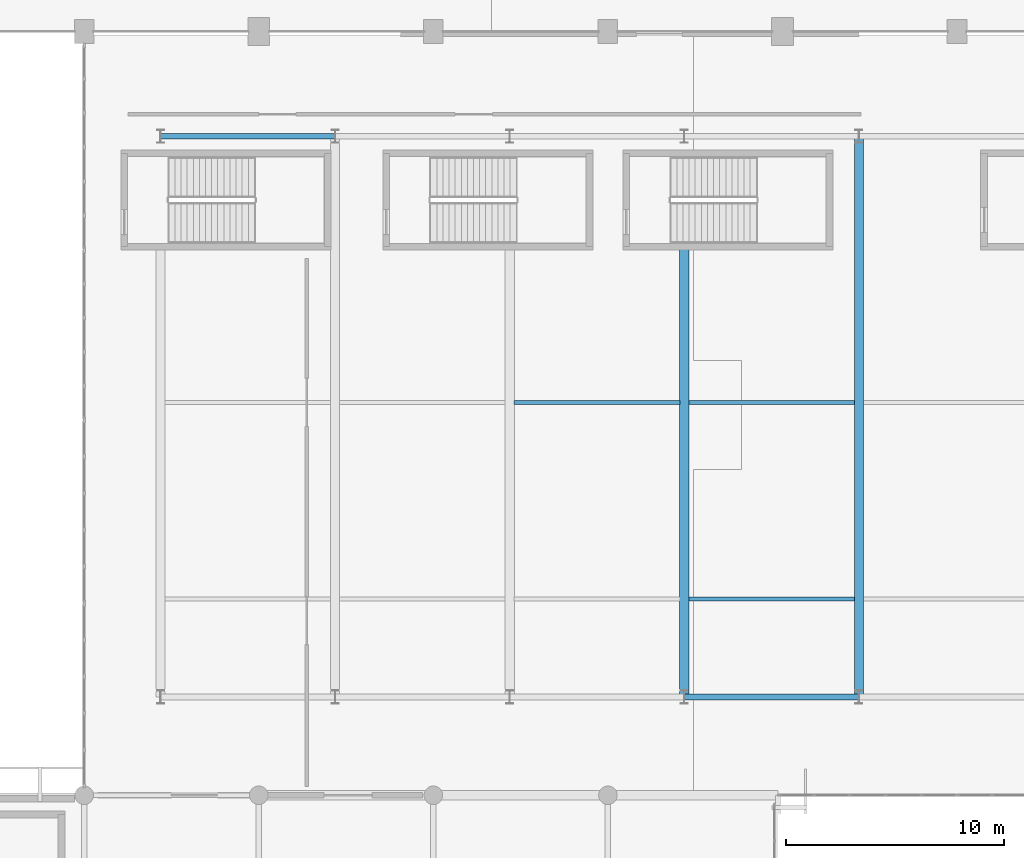
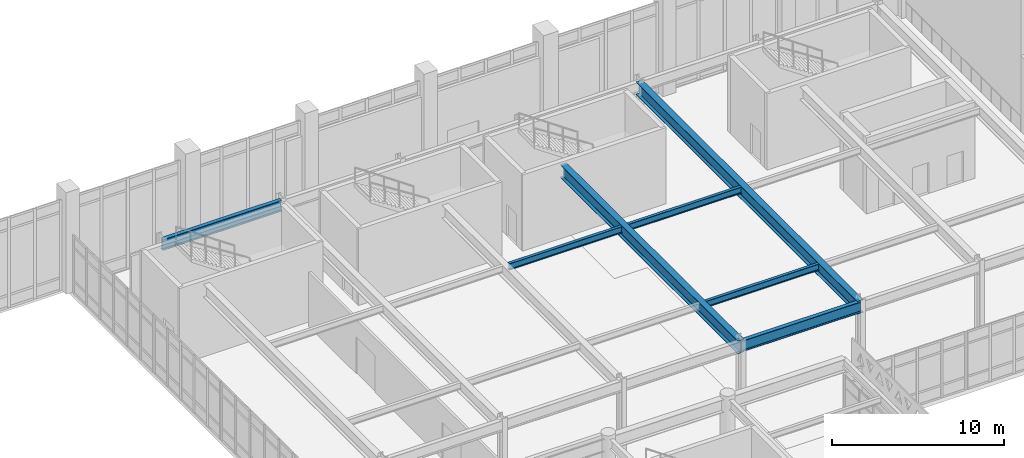
# One storey, part 30 of 84: 7 beams.
"""IFC4 building model written with IfcOpenShell, lengths in metres."""

import ifcopenshell
import ifcopenshell.guid

model = None  # the IFC model being written
_history = None  # IfcOwnerHistory: only IFC2X3 demands one
_inside = {}  # id of a spatial element -> (the spatial element, [elements in it])
_under = {}  # id of a project, library or spatial element -> (it, [spatial elements below it])
_declared = {}  # id of a project -> (the project, [libraries it declares])
_typed = {}  # id of a type object -> (the type object, [elements of that type])
_made_of = {}  # id of a material, layer set ... -> (it, [elements and type objects made of it])


def new_model(schema):
    """Start an empty IFC model of exactly this schema.

    Asked for "IFC4X3", IfcOpenShell would pick the latest addendum, in which some entities
    have other attributes; the version numbers below select the first issue.
    IFC2X3 requires an IfcOwnerHistory on every rooted entity: one is made here for all.
    """
    global model, _history
    if schema == "IFC4X3":
        model = ifcopenshell.file(schema_version=(4, 3, 0, 0))
    else:
        model = ifcopenshell.file(schema=schema)
    _inside.clear()
    _under.clear()
    _declared.clear()
    _typed.clear()
    _made_of.clear()
    _history = None
    if model.schema == "IFC2X3":
        org = make("IfcOrganization", Name="unknown")
        user = make(
            "IfcPersonAndOrganization",
            ThePerson=make("IfcPerson", FamilyName="unknown"),
            TheOrganization=org,
        )
        app = make(
            "IfcApplication",
            ApplicationDeveloper=org,
            Version="unknown",
            ApplicationFullName="unknown",
            ApplicationIdentifier="unknown",
        )
        _history = make(
            "IfcOwnerHistory",
            OwningUser=user,
            OwningApplication=app,
            ChangeAction="ADDED",
            CreationDate=0,
        )
    return model


def make(cls, **values):
    """One entity of the class cls with the attributes given. An attribute that is None is left unset."""
    return model.create_entity(
        cls, **{name: value for name, value in values.items() if value is not None}
    )


def rooted(cls, **values):
    """An entity with a GlobalId (a new one), such as an element, a storey or a relation."""
    return make(cls, GlobalId=ifcopenshell.guid.new(), OwnerHistory=_history, **values)


def si_unit(unit_type, name, prefix=None):
    """IfcSIUnit, for example si_unit("LENGTHUNIT", "METRE", prefix="MILLI")."""
    return make("IfcSIUnit", UnitType=unit_type, Prefix=prefix, Name=name)


def assignment(units):
    """IfcUnitAssignment: the units of a project."""
    return None if units is None else make("IfcUnitAssignment", Units=units)


def point(xyz):
    """IfcCartesianPoint."""
    return None if xyz is None else make("IfcCartesianPoint", Coordinates=xyz)


def direction(xyz):
    """IfcDirection."""
    return None if xyz is None else make("IfcDirection", DirectionRatios=xyz)


def frame(location, z_axis=None, x_axis=None):
    """IfcAxis2Placement3D, a coordinate frame: its origin and axes. An axis left out is left unset."""
    return make(
        "IfcAxis2Placement3D",
        Location=point(location),
        Axis=direction(z_axis),
        RefDirection=direction(x_axis),
    )


def frame_2d(location, x_axis=None):
    """IfcAxis2Placement2D, a coordinate frame in the plane: its origin and x axis."""
    return make(
        "IfcAxis2Placement2D", Location=point(location), RefDirection=direction(x_axis)
    )


def origin():
    """The frame at (0, 0, 0) with its axes left unset."""
    return frame((0.0, 0.0, 0.0))


def origin_2d():
    """The frame at (0, 0) in the plane with its x axis left unset."""
    return frame_2d((0.0, 0.0))


def place(relative_to, where):
    """IfcLocalPlacement: puts the frame where relative to a parent placement (None: the world)."""
    return make(
        "IfcLocalPlacement", PlacementRelTo=relative_to, RelativePlacement=where
    )


def context(
    kind, dimensions, precision=None, world=None, true_north=None, identifier=None
):
    """IfcGeometricRepresentationContext, for example the 3D "Model" context."""
    return make(
        "IfcGeometricRepresentationContext",
        ContextIdentifier=identifier,
        ContextType=kind,
        CoordinateSpaceDimension=dimensions,
        Precision=precision,
        WorldCoordinateSystem=world,
        TrueNorth=true_north,
    )


def subcontext(parent, identifier, kind, view, scale=None):
    """IfcGeometricRepresentationSubContext, for example "Body" below "Model"."""
    return make(
        "IfcGeometricRepresentationSubContext",
        ContextIdentifier=identifier,
        ContextType=kind,
        ParentContext=parent,
        TargetScale=scale,
        TargetView=view,
    )


def project(units=None, contexts=None):
    """IfcProject with its units and contexts."""
    return rooted(
        "IfcProject",
        Name="project",
        RepresentationContexts=contexts,
        UnitsInContext=assignment(units),
    )


def spatial(cls, under=None, at=None, **own):
    """A site, building, storey or space (cls), placed at a placement, below another one or the project."""
    s = rooted(cls, ObjectPlacement=at, **own)
    if under is not None:
        _under.setdefault(under.id(), (under, []))[1].append(s)
    return s


def profile(cls, at=None, kind="AREA", **sizes):
    """A parametric profile (cls). Its sizes go by their IFC names, for example OverallWidth=200.0."""
    return make(cls, ProfileType=kind, Position=at, **sizes)


def i_section(**sizes):
    """IfcIShapeProfileDef."""
    return profile("IfcIShapeProfileDef", **sizes)


def extrude(swept, where, along, depth):
    """IfcExtrudedAreaSolid: the profile swept, set in the frame where, extruded along a direction by depth."""
    return make(
        "IfcExtrudedAreaSolid",
        SweptArea=swept,
        Position=where,
        ExtrudedDirection=direction(along),
        Depth=depth,
    )


def shape(context_of_items, identifier, shape_type, items):
    """IfcShapeRepresentation: the items that make up one representation, for example the "Body"."""
    return make(
        "IfcShapeRepresentation",
        ContextOfItems=context_of_items,
        RepresentationIdentifier=identifier,
        RepresentationType=shape_type,
        Items=items,
    )


def material(Name=None, Category=None):
    """IfcMaterial."""
    return make("IfcMaterial", Name=Name, Category=Category)


def material_profile(
    of_material, cross_section, Name=None, Category=None, Priority=None
):
    """IfcMaterialProfile: a cross section and its material."""
    return make(
        "IfcMaterialProfile",
        Name=Name,
        Material=of_material,
        Profile=cross_section,
        Priority=Priority,
        Category=Category,
    )


def profile_set(profiles, Name=None, composite=None):
    """IfcMaterialProfileSet."""
    return make(
        "IfcMaterialProfileSet",
        Name=Name,
        MaterialProfiles=profiles,
        CompositeProfile=composite,
    )


def made_of(thing, what):
    """Note that an element or type object is made of a material, layer set ...; save() writes the relation."""
    if what is not None:
        _made_of.setdefault(what.id(), (what, []))[1].append(thing)
    return thing


def type_object(cls, material=None, **own):
    """A type object (cls), such as IfcWallType, which elements share."""
    return made_of(rooted(cls, **own), material)


def element(
    cls,
    number,
    at=None,
    inside=None,
    cuts=None,
    type_object=None,
    material=None,
    context=None,
    identifier="Body",
    shape_type=None,
    held_by="IfcProductDefinitionShape",
    body=None,
    shapes=None,
    **own,
):
    """One element of the class cls, such as IfcWall. Its Tag is "e" and its number.

    at: its placement. inside: the storey or other place that contains it. cuts: it is an
    opening in that element (IfcRelVoidsElement). A single representation is given by context,
    identifier, shape_type and body (its items); several are given by shapes. held_by: the class
    of the entity that holds the representations. save() writes the other relations.
    """
    e = rooted(cls, Tag="e%d" % number, ObjectPlacement=at, **own)
    if body is not None:
        shapes = [shape(context, identifier, shape_type, body)]
    if shapes is not None:
        e.Representation = make(held_by, Representations=shapes)
    if inside is not None:
        _inside.setdefault(inside.id(), (inside, []))[1].append(e)
    if cuts is not None:
        rooted(
            "IfcRelVoidsElement", RelatingBuildingElement=cuts, RelatedOpeningElement=e
        )
    if type_object is not None:
        _typed.setdefault(type_object.id(), (type_object, []))[1].append(e)
    return made_of(e, material)


def aggregate(whole, parts):
    """IfcRelAggregates: a whole, such as a stair, and the parts it consists of."""
    return rooted("IfcRelAggregates", RelatingObject=whole, RelatedObjects=parts)


def save(model, path):
    """Write the relations noted so far, then the file.

    IfcRelAggregates (storeys below a building ...), IfcRelContainedInSpatialStructure (elements
    in a storey), IfcRelDefinesByType, IfcRelAssociatesMaterial and IfcRelDeclares: one each for
    every whole, place, type object, material and project.
    """
    for whole, parts in _under.values():
        aggregate(whole, parts)
    for where, things in _inside.values():
        rooted(
            "IfcRelContainedInSpatialStructure",
            RelatedElements=things,
            RelatingStructure=where,
        )
    for kind, things in _typed.values():
        rooted("IfcRelDefinesByType", RelatedObjects=things, RelatingType=kind)
    for what, things in _made_of.values():
        rooted("IfcRelAssociatesMaterial", RelatedObjects=things, RelatingMaterial=what)
    for by, libraries in _declared.values():
        rooted("IfcRelDeclares", RelatingContext=by, RelatedDefinitions=libraries)
    model.write(path)


model = new_model("IFC4")

# Units and contexts
model_context = context("Model", 3, precision=1e-05, world=origin(), true_north=direction((0.0, 1.0)))
body_context = subcontext(model_context, "Body", "Model", "MODEL_VIEW")
ifc_project = project(units=[si_unit("LENGTHUNIT", "METRE"), si_unit("AREAUNIT", "SQUARE_METRE"), si_unit("VOLUMEUNIT", "CUBIC_METRE"), si_unit("PLANEANGLEUNIT", "RADIAN"), si_unit("MASSUNIT", "GRAM", prefix="KILO")], contexts=[model_context])

# Site, building, storey
site_placement = place(None, origin())
site = spatial("IfcSite", under=ifc_project, at=site_placement, CompositionType="ELEMENT")
building_placement = place(site_placement, origin())
building = spatial("IfcBuilding", under=site, at=building_placement, Name="Tlacozan Convention Centre", CompositionType="ELEMENT")
storey_placement = place(building_placement, frame((0.0, 0.0, 6.0)))
storey = spatial("IfcBuildingStorey", under=building, at=storey_placement, Name="L01", CompositionType="ELEMENT", Elevation=6.0)

# Beams
ifc_material = material(Name="Steel ASTM A992 Grade 50", Category="steel")
ifc_material_profile_1 = material_profile(ifc_material, i_section(OverallWidth=0.41796875, OverallDepth=0.912109375, WebThickness=0.019287109375, FlangeThickness=0.031982421875, FilletRadius=0.02001953125, at=origin_2d()), Name="IR 914x342.0")
ifc_profile_set_1 = profile_set([ifc_material_profile_1], Name="Steel ASTM A992 Grade 50")
beam_type_1 = type_object("IfcBeamType", Name="Ballroom Span Girder IR 914x342", PredefinedType="BEAM", material=ifc_profile_set_1)
beam_1_placement = place(storey_placement, frame((115.5, 31.5, 4.68408203125), z_axis=(0.0, 1.0, 0.0), x_axis=(-1.0, 0.0, 0.0)))
element("IfcBeam", 1, at=beam_1_placement, inside=storey, type_object=beam_type_1, Name="L01 Ballroom Span Girder IR 914x342 1442", PredefinedType="BEAM", context=body_context, shape_type="SweptSolid", body=[
    extrude(i_section(OverallWidth=0.41796875, OverallDepth=0.912109375, WebThickness=0.019287109375, FlangeThickness=0.031982421875, FilletRadius=0.02001953125, at=origin_2d()), origin(), (0.0, 0.0, 1.0), 20.639892578125),
])
beam_2_placement = place(storey_placement, frame((123.5, 31.5, 4.68408203125), z_axis=(0.0, 1.0, 0.0), x_axis=(-1.0, 0.0, 0.0)))
element("IfcBeam", 2, at=beam_2_placement, inside=storey, type_object=beam_type_1, Name="L01 Ballroom Span Girder IR 914x342 1443", PredefinedType="BEAM", context=body_context, shape_type="SweptSolid", body=[
    extrude(i_section(OverallWidth=0.41796875, OverallDepth=0.912109375, WebThickness=0.019287109375, FlangeThickness=0.031982421875, FilletRadius=0.02001953125, at=origin_2d()), origin(), (0.0, 0.0, 1.0), 25.699951171875),
])
ifc_material_profile_2 = material_profile(ifc_material, i_section(OverallWidth=0.26806640625, OverallDepth=0.77001953125, WebThickness=0.015625, FlangeThickness=0.025390625, FilletRadius=0.01708984375, at=origin_2d()), Name="IR 762x196.0")
ifc_profile_set_2 = profile_set([ifc_material_profile_2], Name="Steel ASTM A992 Grade 50")
beam_type_2 = type_object("IfcBeamType", Name="Girder Steel IR 762x196", PredefinedType="BEAM", material=ifc_profile_set_2)
for number, where, z_axis, x_axis, name in (
    (3, (91.5, 57.199951171875, 4.7548828125), (1.0, 0.0, 0.0), (0.0, 1.0, 0.0), "L01 Girder Steel IR 762x196 1447"),
    (4, (115.5, 31.5, 4.7548828125), (1.0, 0.0, 0.0), (0.0, 1.0, 0.0), "L01 Girder Steel IR 762x196 1458"),
):
    element("IfcBeam", number, at=place(storey_placement, frame(where, z_axis=z_axis, x_axis=x_axis)), inside=storey, type_object=beam_type_2, Name=name, PredefinedType="BEAM", context=body_context, shape_type="SweptSolid", body=[
        extrude(i_section(OverallWidth=0.26806640625, OverallDepth=0.77001953125, WebThickness=0.015625, FlangeThickness=0.025390625, FilletRadius=0.01708984375, at=origin_2d()), origin(), (0.0, 0.0, 1.0), 8.0),
    ])
ifc_material_profile_3 = material_profile(ifc_material, i_section(OverallWidth=0.19189453125, OverallDepth=0.462890625, WebThickness=0.010498046875, FlangeThickness=0.017578125, FilletRadius=0.010986328125, at=origin_2d()), Name="IR 457x89.3")
ifc_profile_set_3 = profile_set([ifc_material_profile_3], Name="Steel ASTM A992 Grade 50")
beam_type_3 = type_object("IfcBeamType", Name="Secondary Joist IR 457x89.3", PredefinedType="JOIST", material=ifc_profile_set_3)
for number, where, z_axis, x_axis, name in (
    (5, (107.70703125, 45.0, 4.908447265625), (1.0, 0.0, 0.0), (0.0, 1.0, 0.0), "L01 Secondary Joist IR 457x89.3 1457"),
    (6, (115.70703125, 36.0, 4.908447265625), (1.0, 0.0, 0.0), (0.0, 1.0, 0.0), "L01 Secondary Joist IR 457x89.3 1460"),
    (7, (115.70703125, 45.0, 4.908447265625), (1.0, 0.0, 0.0), (0.0, 1.0, 0.0), "L01 Secondary Joist IR 457x89.3 1461"),
):
    element("IfcBeam", number, at=place(storey_placement, frame(where, z_axis=z_axis, x_axis=x_axis)), inside=storey, type_object=beam_type_3, Name=name, PredefinedType="JOIST", context=body_context, shape_type="SweptSolid", body=[
        extrude(i_section(OverallWidth=0.19189453125, OverallDepth=0.462890625, WebThickness=0.010498046875, FlangeThickness=0.017578125, FilletRadius=0.010986328125, at=origin_2d()), origin(), (0.0, 0.0, 1.0), 7.5859375),
    ])

save(model, "model.ifc")
